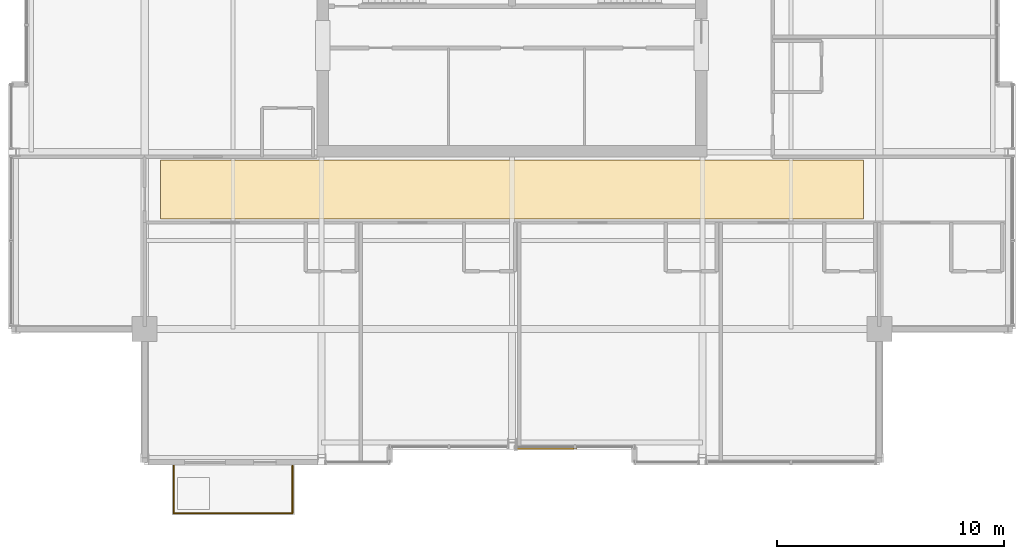
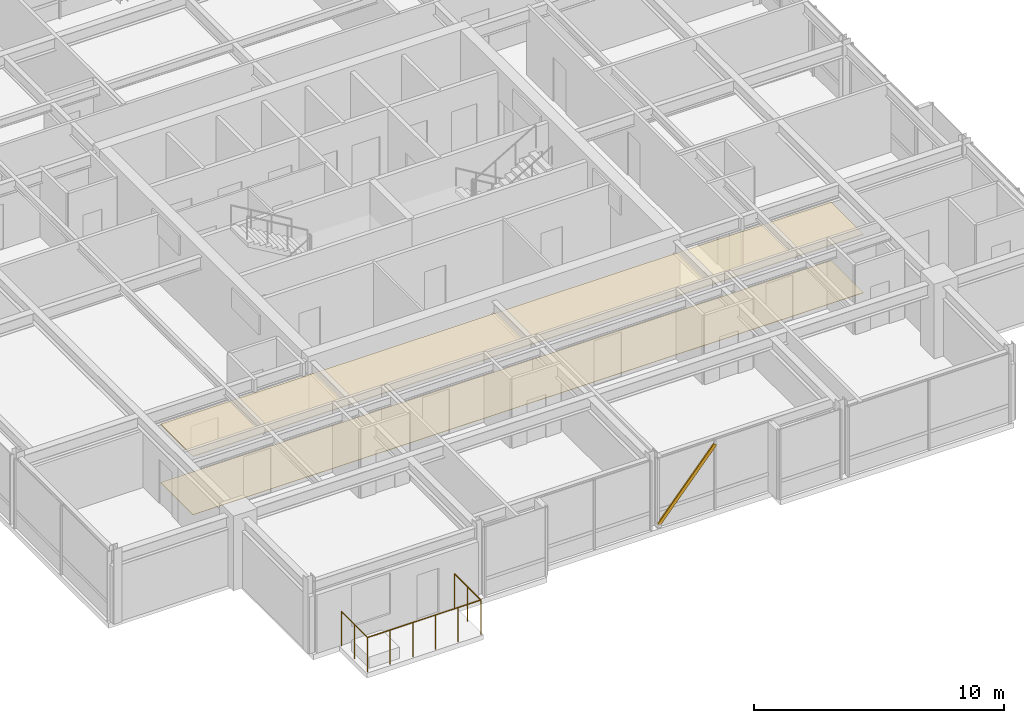
# One storey, part 32 of 34: 2 coverings, 1 railing, 1 shading device.
"""IFC4 building model written with IfcOpenShell, lengths in metres."""

from ifc_helpers import new_model, si_unit, direction, frame, origin, origin_2d, place, context, subcontext, project, spatial, polyline, hollow_rectangle, circle, outline, extrude, material, layer, layer_set, material_profile, profile_set, type_object, element, save


model = new_model("IFC4")

# Units and contexts
model_context = context("Model", 3, precision=1e-05, world=origin(), true_north=direction((0.0, 1.0)))
body_context = subcontext(model_context, "Body", "Model", "MODEL_VIEW")
ifc_project = project(units=[si_unit("LENGTHUNIT", "METRE"), si_unit("AREAUNIT", "SQUARE_METRE"), si_unit("VOLUMEUNIT", "CUBIC_METRE"), si_unit("PLANEANGLEUNIT", "RADIAN"), si_unit("MASSUNIT", "GRAM", prefix="KILO")], contexts=[model_context])

# Site, building, storey
site_placement = place(None, origin())
site = spatial("IfcSite", under=ifc_project, at=site_placement, CompositionType="ELEMENT")
building_placement = place(site_placement, origin())
building = spatial("IfcBuilding", under=site, at=building_placement, Name="Drelvath Grand Hotel", CompositionType="ELEMENT")
storey_placement = place(building_placement, frame((0.0, 0.0, 286.89990234375)))
storey = spatial("IfcBuildingStorey", under=building, at=storey_placement, Name="L75", CompositionType="ELEMENT", Elevation=286.89990234375)

# Shading device
ifc_material_1 = material(Name="Platinum-Mist Anodised Aluminium", Category="aluminium")
ifc_material_profile = material_profile(ifc_material_1, hollow_rectangle(XDim=0.06494140625, YDim=0.159912109375, WallThickness=0.00390625, at=origin_2d()), Name="HSS160X65X4")
ifc_profile_set = profile_set([ifc_material_profile], Name="Platinum-Mist Anodised Aluminium")
shading_device_type = type_object("IfcShadingDeviceType", Name="Diagonal Solar Fin Platinum Anodised HSS160X65X4", PredefinedType="USERDEFINED", material=ifc_profile_set)
shading_device_placement = place(storey_placement, frame((0.170166015625, 5.52001953125, 0.18017578125), z_axis=(0.653354613196, 0.0, 0.757052012358), x_axis=(0.0, 1.0, 0.0)))
element("IfcShadingDevice", 1, at=shading_device_placement, inside=storey, type_object=shading_device_type, Name="L75 Diagonal Anodised Fin CW05-L75-SM2", ObjectType="FIN", PredefinedType="USERDEFINED", context=body_context, shape_type="SweptSolid", body=[
    extrude(hollow_rectangle(XDim=0.06494140625, YDim=0.159912109375, WallThickness=0.00390625, at=origin_2d()), origin(), (0.0, 0.0, 1.0), 4.00244140625),
])

# Coverings
ifc_material_2 = material(Name="Woven Wool Broadloom Carpet")
ifc_layer_1 = layer(ifc_material_2, 0.01806640625)
ifc_layer_set_1 = layer_set([ifc_layer_1], Name="Woven Wool Broadloom Carpet")
covering_type_1 = type_object("IfcCoveringType", Name="Hospitality Broadloom Carpet 18", PredefinedType="FLOORING", material=ifc_layer_set_1)
covering_1_placement = place(storey_placement, origin())
element("IfcCovering", 2, at=covering_1_placement, inside=storey, type_object=covering_type_1, Name="L75 Upper Gallery Carpet", PredefinedType="FLOORING", context=body_context, shape_type="SweptSolid", body=[
    extrude(outline(polyline([(15.5, 15.64990234375), (15.5, 18.25), (-15.5, 18.25), (-15.5, 15.64990234375), (15.5, 15.64990234375)])), origin(), (0.0, 0.0, 1.0), 0.01806640625),
])
ifc_material_3 = material(Name="Anodised Aluminium Alloy", Category="aluminium")
ifc_layer_2 = layer(ifc_material_3, 0.0400390625)
ifc_layer_set_2 = layer_set([ifc_layer_2], Name="Anodised Aluminium Alloy")
covering_type_2 = type_object("IfcCoveringType", Name="Perforated Metal Corridor Ceiling 40", PredefinedType="CEILING", material=ifc_layer_set_2)
covering_2_placement = place(storey_placement, frame((0.0, 0.0, 2.840087890625)))
element("IfcCovering", 3, at=covering_2_placement, inside=storey, type_object=covering_type_2, Name="L75 Upper Gallery Ceiling", PredefinedType="CEILING", context=body_context, shape_type="SweptSolid", body=[
    extrude(outline(polyline([(15.5, 15.64990234375), (15.5, 18.25), (-15.5, 18.25), (-15.5, 15.64990234375), (15.5, 15.64990234375)])), origin(), (0.0, 0.0, 1.0), 0.0400390625),
])

# Railing
ifc_material_4 = material(Name="Anodised Aluminium and Laminated Glass Balustrade", Category="aluminium")
railing_type = type_object("IfcRailingType", Name="Raised Planter Edge Balustrade 1700", PredefinedType="BALUSTRADE", material=ifc_material_4)
railing_placement = place(storey_placement, frame((-14.919921875, 4.780029296875, 0.0)))
element("IfcRailing", 4, at=railing_placement, inside=storey, type_object=railing_type, Name="L75 Tree Balcony Perimeter Balustrade 1", PredefinedType="BALUSTRADE", context=body_context, shape_type="SweptSolid", body=[
    extrude(circle(Radius=0.02392578125, at=origin_2d()), frame((0.0, 0.0, 1.67578125), z_axis=(0.0, -1.0, 0.0), x_axis=(1.0, 0.0, 0.0)), (0.0, 0.0, 1.0), 2.10009765625),
    extrude(circle(Radius=0.02392578125, at=origin_2d()), frame((0.0, -2.10009765625, 1.67578125), z_axis=(1.0, 0.0, 0.0), x_axis=(0.0, 1.0, 0.0)), (0.0, 0.0, 1.0), 5.239990234375),
    extrude(circle(Radius=0.02392578125, at=origin_2d()), frame((5.239990234375, -2.10009765625, 1.67578125), z_axis=(0.0, 1.0, 0.0), x_axis=(-1.0, 0.0, 0.0)), (0.0, 0.0, 1.0), 2.10009765625),
    extrude(circle(Radius=0.02099609375, at=origin_2d()), origin(), (0.0, 0.0, 1.0), 1.65185546875),
    extrude(circle(Radius=0.02099609375, at=origin_2d()), frame((0.0, -1.050048828125, 0.0)), (0.0, 0.0, 1.0), 1.65185546875),
    extrude(circle(Radius=0.02099609375, at=origin_2d()), frame((0.0, -2.10009765625, 0.0)), (0.0, 0.0, 1.0), 1.65185546875),
    extrude(circle(Radius=0.02099609375, at=origin_2d()), frame((1.048095703125, -2.10009765625, 0.0)), (0.0, 0.0, 1.0), 1.65185546875),
    extrude(circle(Radius=0.02099609375, at=origin_2d()), frame((2.095947265625, -2.10009765625, 0.0)), (0.0, 0.0, 1.0), 1.65185546875),
    extrude(circle(Radius=0.02099609375, at=origin_2d()), frame((3.14404296875, -2.10009765625, 0.0)), (0.0, 0.0, 1.0), 1.65185546875),
    extrude(circle(Radius=0.02099609375, at=origin_2d()), frame((4.19189453125, -2.10009765625, 0.0)), (0.0, 0.0, 1.0), 1.65185546875),
    extrude(circle(Radius=0.02099609375, at=origin_2d()), frame((5.239990234375, -2.10009765625, 0.0)), (0.0, 0.0, 1.0), 1.65185546875),
    extrude(circle(Radius=0.02099609375, at=origin_2d()), frame((5.239990234375, -1.050048828125, 0.0)), (0.0, 0.0, 1.0), 1.65185546875),
    extrude(circle(Radius=0.02099609375, at=origin_2d()), frame((5.239990234375, 0.0, 0.0)), (0.0, 0.0, 1.0), 1.65185546875),
])

save(model, "model.ifc")
